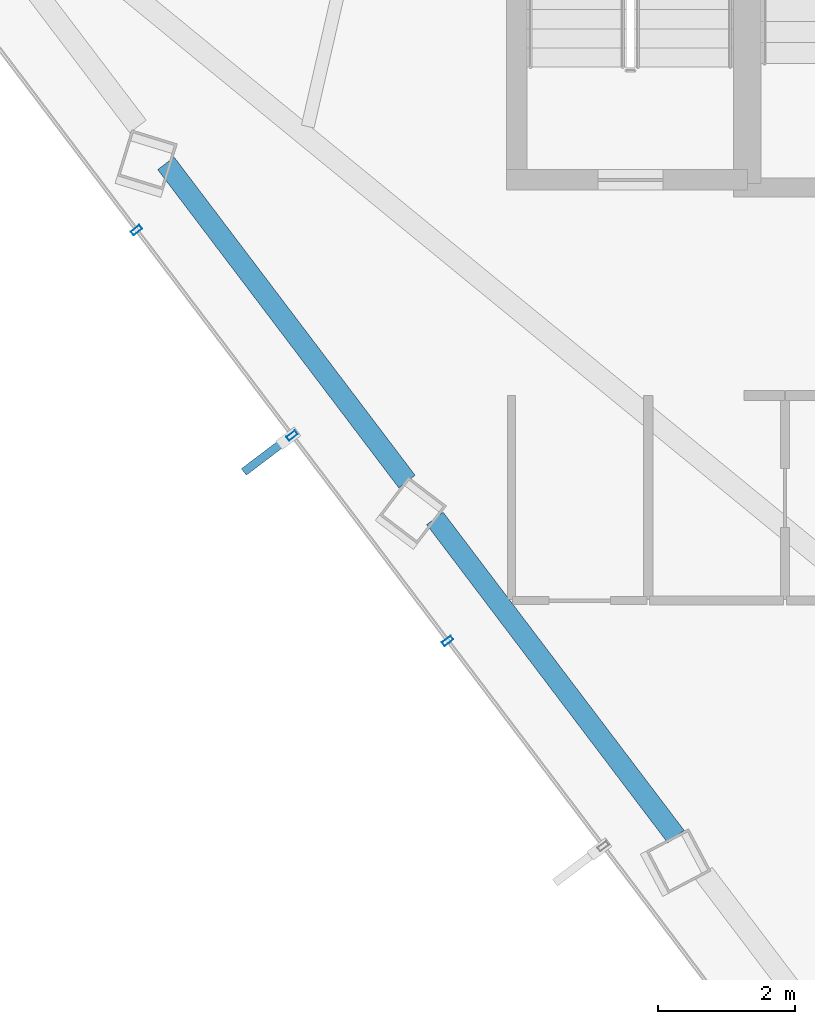
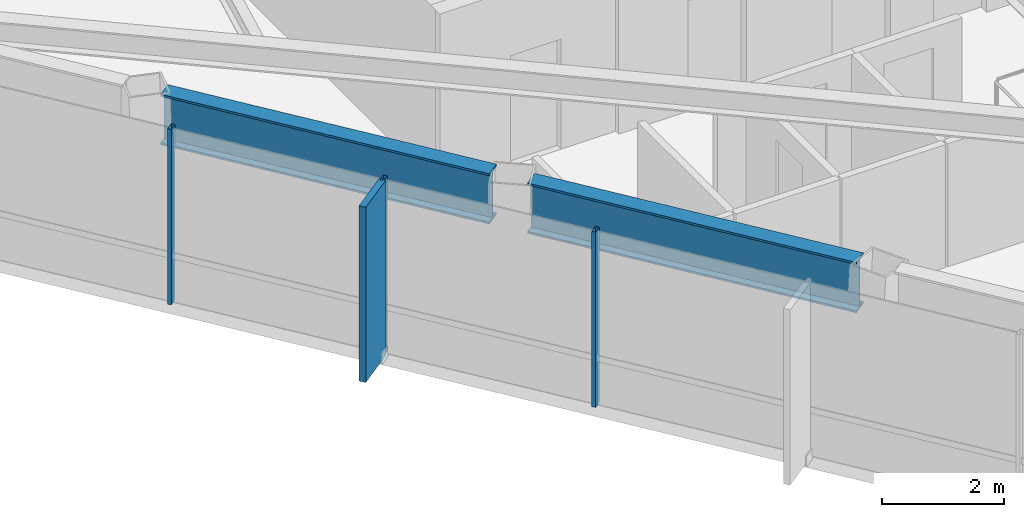
# One storey, part 4 of 27: 4 members, 2 beams, 1 element without a shape of its own.
"""IFC4 building model written with IfcOpenShell, lengths in metres."""

from ifc_helpers import new_model, si_unit, direction, frame, origin, origin_2d, place, context, subcontext, project, spatial, rectangle, hollow_rectangle, i_section, extrude, material, layer, layer_set, material_profile, profile_set, type_object, element, aggregate, save


model = new_model("IFC4")

# Units and contexts
model_context = context("Model", 3, precision=1e-05, world=origin(), true_north=direction((0.0, 1.0)))
body_context = subcontext(model_context, "Body", "Model", "MODEL_VIEW")
ifc_project = project(units=[si_unit("LENGTHUNIT", "METRE"), si_unit("AREAUNIT", "SQUARE_METRE"), si_unit("VOLUMEUNIT", "CUBIC_METRE"), si_unit("PLANEANGLEUNIT", "RADIAN"), si_unit("MASSUNIT", "GRAM", prefix="KILO")], contexts=[model_context])

# Site, building, storey
site_placement = place(None, origin())
site = spatial("IfcSite", under=ifc_project, at=site_placement, CompositionType="ELEMENT")
building_placement = place(site_placement, origin())
building = spatial("IfcBuilding", under=site, at=building_placement, Name="Zarrinselat Tower", CompositionType="ELEMENT")
storey_placement = place(building_placement, frame((0.0, 0.0, 183.260009765625)))
storey = spatial("IfcBuildingStorey", under=building, at=storey_placement, Name="L45", CompositionType="ELEMENT", Elevation=183.260009765625)

# Beams
ifc_material_1 = material(Name="Steel S460M", Category="steel")
ifc_material_profile_1 = material_profile(ifc_material_1, i_section(OverallWidth=0.302001953125, OverallDepth=1.008056640625, WebThickness=0.02099609375, FlangeThickness=0.0400390625, at=origin_2d()), Name="HEM 1000")
ifc_profile_set_1 = profile_set([ifc_material_profile_1], Name="Steel S460M")
beam_type = type_object("IfcBeamType", Name="BM-HEM1000", PredefinedType="BEAM", material=ifc_profile_set_1)
beam_1_placement = place(storey_placement, frame((20.09912109375, 33.54248046875, 2.99609375), z_axis=(0.603841579957, -0.797104350958, 0.0), x_axis=(0.797104350958, 0.603841579957, 0.0)))
element("IfcBeam", 1, at=beam_1_placement, inside=storey, type_object=beam_type, Name="L45 Perimeter Spandrel Girder SP07", PredefinedType="BEAM", context=body_context, shape_type="SweptSolid", body=[
    extrude(i_section(OverallWidth=0.302001953125, OverallDepth=1.008056640625, WebThickness=0.02099609375, FlangeThickness=0.0400390625, at=origin_2d()), origin(), (0.0, 0.0, 1.0), 5.836181640625),
])
beam_2_placement = place(storey_placement, frame((24.031494140625, 28.351806640625, 2.99609375), z_axis=(0.603868157824, -0.797084216357, 0.0), x_axis=(0.797084216357, 0.603868157824, 0.0)))
element("IfcBeam", 2, at=beam_2_placement, inside=storey, type_object=beam_type, Name="L45 Perimeter Spandrel Girder SP08", PredefinedType="BEAM", context=body_context, shape_type="SweptSolid", body=[
    extrude(i_section(OverallWidth=0.302001953125, OverallDepth=1.008056640625, WebThickness=0.02099609375, FlangeThickness=0.0400390625, at=origin_2d()), origin(), (0.0, 0.0, 1.0), 5.83642578125),
])

# Curtain wall, members
ifc_material_2 = material(Name="Extruded Aluminium Alloy EN AW-6063 T6", Category="aluminium")
ifc_layer = layer(ifc_material_2, 0.175048828125)
ifc_layer_set = layer_set([ifc_layer], Name="Extruded Aluminium Alloy EN AW-6063 T6")
curtain_wall_type = type_object("IfcCurtainWallType", Name="CWS-HTL", PredefinedType="NOTDEFINED", material=ifc_layer_set)
curtain_wall_placement = place(storey_placement, origin())
curtain_wall = element("IfcCurtainWall", 3, at=curtain_wall_placement, inside=storey, type_object=curtain_wall_type, Name="L45 Unitised Curtain Wall CW-L45-E03", PredefinedType="NOTDEFINED")
ifc_material_3 = material(Name="Extruded Aluminium Alloy EN AW-6063 T6", Category="aluminium")
ifc_material_profile_2 = material_profile(ifc_material_3, hollow_rectangle(XDim=0.070068359375, YDim=0.159912109375, WallThickness=0.00390625, at=origin_2d()), Name="RHS 160x70x4")
ifc_profile_set_2 = profile_set([ifc_material_profile_2], Name="Extruded Aluminium Alloy EN AW-6063 T6")
member_type_1 = type_object("IfcMemberType", Name="MEM-CW-MUL2", PredefinedType="MULLION", material=ifc_profile_set_2)
member_1_placement = place(storey_placement, frame((19.669189453125, 32.56689453125, 0.0), z_axis=(0.0, 0.0, 1.0), x_axis=(0.603857322892, -0.797092424748, 0.0)))
member_1 = element("IfcMember", 4, at=member_1_placement, type_object=member_type_1, Name="CW-L45-E03 Mullion 2", PredefinedType="MULLION", context=body_context, shape_type="SweptSolid", body=[
    extrude(hollow_rectangle(XDim=0.070068359375, YDim=0.159912109375, WallThickness=0.00390625, at=origin_2d()), origin(), (0.0, 0.0, 1.0), 3.5),
])
member_2_placement = place(storey_placement, frame((21.943603515625, 29.564697265625, 0.0), z_axis=(0.0, 0.0, 1.0), x_axis=(0.603857322892, -0.797092424748, 0.0)))
member_2 = element("IfcMember", 5, at=member_2_placement, type_object=member_type_1, Name="CW-L45-E03 Mullion 3", PredefinedType="MULLION", context=body_context, shape_type="SweptSolid", body=[
    extrude(hollow_rectangle(XDim=0.070068359375, YDim=0.159912109375, WallThickness=0.00390625, at=origin_2d()), origin(), (0.0, 0.0, 1.0), 3.5),
])
member_3_placement = place(storey_placement, frame((24.218017578125, 26.562255859375, 0.0), z_axis=(0.0, 0.0, 1.0), x_axis=(0.603857322892, -0.797092424748, 0.0)))
member_3 = element("IfcMember", 6, at=member_3_placement, type_object=member_type_1, Name="CW-L45-E03 Mullion 4", PredefinedType="MULLION", context=body_context, shape_type="SweptSolid", body=[
    extrude(hollow_rectangle(XDim=0.070068359375, YDim=0.159912109375, WallThickness=0.00390625, at=origin_2d()), origin(), (0.0, 0.0, 1.0), 3.5),
])
ifc_material_4 = material(Name="Honed Cream Travertine Stone", Category="masonry")
ifc_material_profile_3 = material_profile(ifc_material_4, rectangle(XDim=0.1201171875, YDim=0.85009765625, at=origin_2d()), Name="FIN 850x120")
ifc_profile_set_3 = profile_set([ifc_material_profile_3], Name="Honed Cream Travertine Stone")
member_type_2 = type_object("IfcMemberType", Name="MEM-STONE-FIN", PredefinedType="USERDEFINED", material=ifc_profile_set_3)
member_4_placement = place(storey_placement, frame((21.576904296875, 29.286865234375, 0.0), z_axis=(0.0, 0.0, 1.0), x_axis=(-0.603857322892, 0.797092424748, 0.0)))
member_4 = element("IfcMember", 7, at=member_4_placement, type_object=member_type_2, Name="L45 Stone Shading Fin CW-L45-E03-03", ObjectType="FIN", PredefinedType="USERDEFINED", context=body_context, shape_type="SweptSolid", body=[
    extrude(rectangle(XDim=0.1201171875, YDim=0.85009765625, at=origin_2d()), origin(), (0.0, 0.0, 1.0), 3.5),
])
aggregate(curtain_wall, [member_1, member_2, member_4, member_3])

save(model, "model.ifc")
